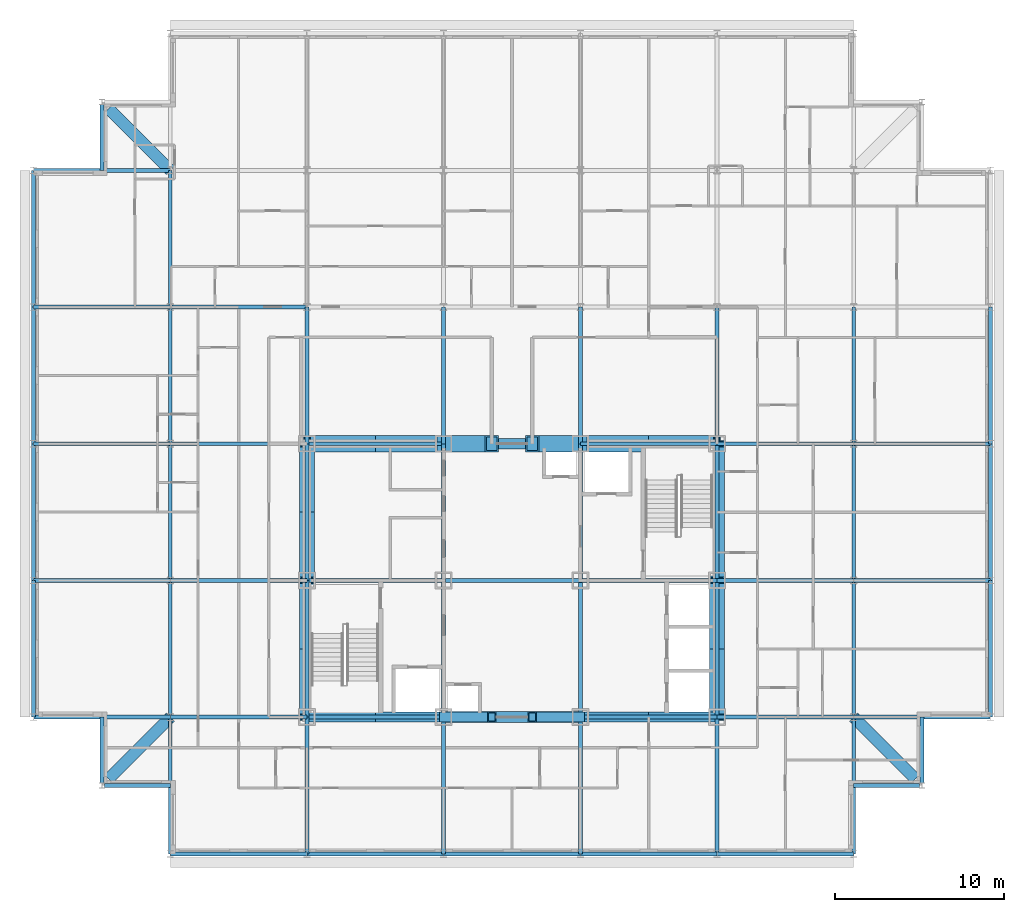
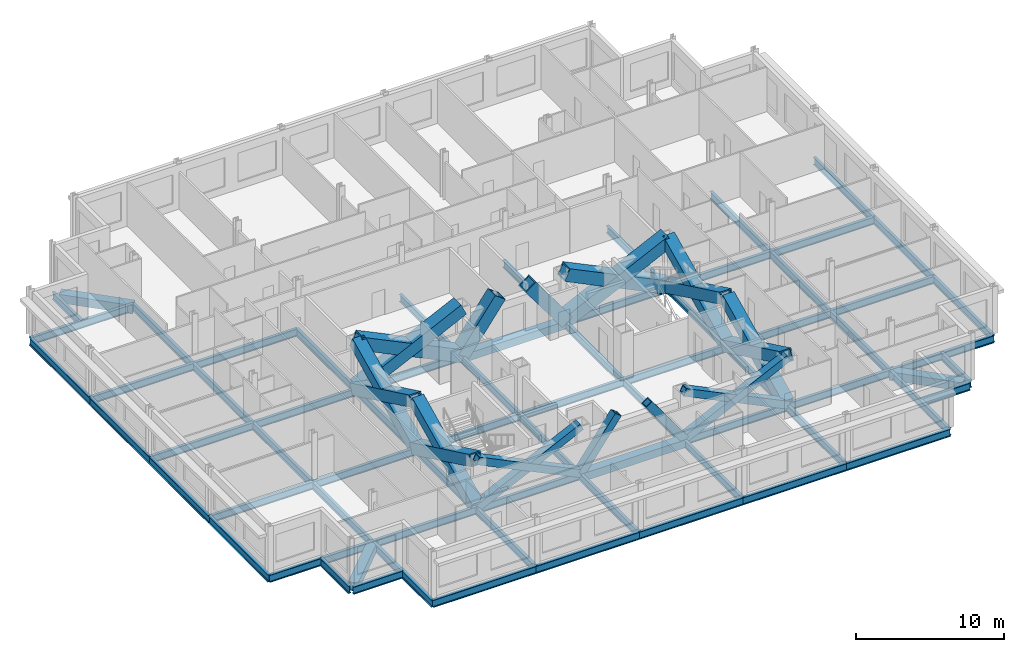
# One storey, part 5 of 15: 69 beams, 20 members.
"""IFC4 building model written with IfcOpenShell, lengths in metres."""

from ifc_helpers import new_model, si_unit, direction, frame, origin, origin_2d, place, context, subcontext, project, spatial, hollow_rectangle, i_section, extrude, material, material_profile, profile_set, type_object, element, save


model = new_model("IFC4")

# Units and contexts
model_context = context("Model", 3, precision=1e-05, world=origin(), true_north=direction((0.0, 1.0)))
body_context = subcontext(model_context, "Body", "Model", "MODEL_VIEW")
ifc_project = project(units=[si_unit("LENGTHUNIT", "METRE"), si_unit("AREAUNIT", "SQUARE_METRE"), si_unit("VOLUMEUNIT", "CUBIC_METRE"), si_unit("PLANEANGLEUNIT", "RADIAN"), si_unit("MASSUNIT", "GRAM", prefix="KILO")], contexts=[model_context])

# Site, building, storey
site_placement = place(None, origin())
site = spatial("IfcSite", under=ifc_project, at=site_placement, CompositionType="ELEMENT")
building_placement = place(site_placement, origin())
building = spatial("IfcBuilding", under=site, at=building_placement, Name="Kopane Lantern Tower", CompositionType="ELEMENT")
storey_placement = place(building_placement, frame((0.0, 0.0, 285.300048828125)))
storey = spatial("IfcBuildingStorey", under=building, at=storey_placement, Name="L73", CompositionType="ELEMENT", Elevation=285.300048828125)

# Members
ifc_material_1 = material(Name="Steel S355JR", Category="steel")
ifc_material_profile_1 = material_profile(ifc_material_1, hollow_rectangle(XDim=1.0, YDim=1.0, WallThickness=0.10009765625, at=origin_2d()), Name="BOX 1000x1000x100")
ifc_profile_set_1 = profile_set([ifc_material_profile_1], Name="Steel S355JR")
member_type_1 = type_object("IfcMemberType", Name="BRACE BOX 1000x1000x100", PredefinedType="BRACE", material=ifc_profile_set_1)
for number, where, z_axis, x_axis, name in (
    (1, (16.199951171875, 40.5, -0.2099609375), (0.901007959878, 0.0, 0.433802554437), (0.0, 1.0, 0.0), "Core brace L73"),
    (2, (24.300048828125, 40.5, -0.2099609375), (-0.901007959878, 0.0, 0.433802554437), (0.0, -1.0, 0.0), "Core brace L73"),
):
    element("IfcMember", number, at=place(storey_placement, frame(where, z_axis=z_axis, x_axis=x_axis)), inside=storey, type_object=member_type_1, Name=name, PredefinedType="BRACE", context=body_context, shape_type="SweptSolid", body=[
        extrude(hollow_rectangle(XDim=1.0, YDim=1.0, WallThickness=0.10009765625, at=origin_2d()), origin(), (0.0, 0.0, 1.0), 8.989990234375),
    ])
for number, where, z_axis, x_axis, name in (
    (3, (24.300048828125, 40.5, -0.2099609375), (0.590006451143, 0.0, 0.807398530845), (0.0, 1.0, 0.0), "Core brace L73"),
    (4, (32.39990234375, 40.5, -0.2099609375), (-0.590006451143, 0.0, 0.807398530845), (0.0, -1.0, 0.0), "Core brace L73"),
):
    element("IfcMember", number, at=place(storey_placement, frame(where, z_axis=z_axis, x_axis=x_axis)), inside=storey, type_object=member_type_1, Name=name, PredefinedType="BRACE", context=body_context, shape_type="SweptSolid", body=[
        extrude(hollow_rectangle(XDim=1.0, YDim=1.0, WallThickness=0.10009765625, at=origin_2d()), origin(), (0.0, 0.0, 1.0), 4.830322265625),
    ])
for number, where, z_axis, x_axis, name in (
    (5, (32.39990234375, 40.5, -0.2099609375), (0.901007959878, 0.0, 0.433802554437), (0.0, 1.0, 0.0), "Core brace L73"),
    (6, (40.5, 40.5, -0.2099609375), (-0.901007959878, 0.0, 0.433802554437), (0.0, -1.0, 0.0), "Core brace L73"),
):
    element("IfcMember", number, at=place(storey_placement, frame(where, z_axis=z_axis, x_axis=x_axis)), inside=storey, type_object=member_type_1, Name=name, PredefinedType="BRACE", context=body_context, shape_type="SweptSolid", body=[
        extrude(hollow_rectangle(XDim=1.0, YDim=1.0, WallThickness=0.10009765625, at=origin_2d()), origin(), (0.0, 0.0, 1.0), 8.989990234375),
    ])
ifc_material_2 = material(Name="Steel S355JR", Category="steel")
ifc_material_profile_2 = material_profile(ifc_material_2, hollow_rectangle(XDim=0.60009765625, YDim=0.60009765625, WallThickness=0.06005859375, at=origin_2d()), Name="BOX 600x600x60")
ifc_profile_set_2 = profile_set([ifc_material_profile_2], Name="Steel S355JR")
member_type_2 = type_object("IfcMemberType", Name="BRACE BOX 600x600x60", PredefinedType="BRACE", material=ifc_profile_set_2)
for number, where, z_axis, x_axis, name in (
    (7, (16.199951171875, 24.300048828125, -0.2099609375), (0.901007959878, 0.0, 0.433802554437), (0.0, 1.0, 0.0), "Core brace L73"),
    (8, (24.300048828125, 24.300048828125, -0.2099609375), (-0.901007959878, 0.0, 0.433802554437), (0.0, -1.0, 0.0), "Core brace L73"),
):
    element("IfcMember", number, at=place(storey_placement, frame(where, z_axis=z_axis, x_axis=x_axis)), inside=storey, type_object=member_type_2, Name=name, PredefinedType="BRACE", context=body_context, shape_type="SweptSolid", body=[
        extrude(hollow_rectangle(XDim=0.60009765625, YDim=0.60009765625, WallThickness=0.06005859375, at=origin_2d()), origin(), (0.0, 0.0, 1.0), 8.989990234375),
    ])
for number, where, z_axis, x_axis, name in (
    (9, (24.300048828125, 24.300048828125, -0.2099609375), (0.590006451143, 0.0, 0.807398530845), (0.0, 1.0, 0.0), "Core brace L73"),
    (10, (32.39990234375, 24.300048828125, -0.2099609375), (-0.590006451143, 0.0, 0.807398530845), (0.0, -1.0, 0.0), "Core brace L73"),
):
    element("IfcMember", number, at=place(storey_placement, frame(where, z_axis=z_axis, x_axis=x_axis)), inside=storey, type_object=member_type_2, Name=name, PredefinedType="BRACE", context=body_context, shape_type="SweptSolid", body=[
        extrude(hollow_rectangle(XDim=0.60009765625, YDim=0.60009765625, WallThickness=0.06005859375, at=origin_2d()), origin(), (0.0, 0.0, 1.0), 4.830322265625),
    ])
for number, where, z_axis, x_axis, name in (
    (11, (32.39990234375, 24.300048828125, -0.2099609375), (0.901007959878, 0.0, 0.433802554437), (0.0, 1.0, 0.0), "Core brace L73"),
    (12, (40.5, 24.300048828125, -0.2099609375), (-0.901007959878, 0.0, 0.433802554437), (0.0, -1.0, 0.0), "Core brace L73"),
):
    element("IfcMember", number, at=place(storey_placement, frame(where, z_axis=z_axis, x_axis=x_axis)), inside=storey, type_object=member_type_2, Name=name, PredefinedType="BRACE", context=body_context, shape_type="SweptSolid", body=[
        extrude(hollow_rectangle(XDim=0.60009765625, YDim=0.60009765625, WallThickness=0.06005859375, at=origin_2d()), origin(), (0.0, 0.0, 1.0), 8.989990234375),
    ])
ifc_material_3 = material(Name="Steel S355JR", Category="steel")
ifc_material_profile_3 = material_profile(ifc_material_3, hollow_rectangle(XDim=0.89990234375, YDim=0.89990234375, WallThickness=0.090087890625, at=origin_2d()), Name="BOX 900x900x90")
ifc_profile_set_3 = profile_set([ifc_material_profile_3], Name="Steel S355JR")
member_type_3 = type_object("IfcMemberType", Name="BRACE BOX 900x900x90", PredefinedType="BRACE", material=ifc_profile_set_3)
for number, where, z_axis, x_axis, name in (
    (13, (16.199951171875, 24.300048828125, -0.2099609375), (0.0, 0.9010028492, 0.433813169157), (-1.0, 0.0, 0.0), "Core brace L73"),
    (14, (16.199951171875, 32.39990234375, -0.2099609375), (0.0, -0.9010028492, 0.433813169157), (1.0, 0.0, 0.0), "Core brace L73"),
):
    element("IfcMember", number, at=place(storey_placement, frame(where, z_axis=z_axis, x_axis=x_axis)), inside=storey, type_object=member_type_3, Name=name, PredefinedType="BRACE", context=body_context, shape_type="SweptSolid", body=[
        extrude(hollow_rectangle(XDim=0.89990234375, YDim=0.89990234375, WallThickness=0.090087890625, at=origin_2d()), origin(), (0.0, 0.0, 1.0), 8.98974609375),
    ])
for number, where, z_axis, x_axis, name in (
    (15, (16.199951171875, 32.39990234375, -0.2099609375), (0.0, 0.901007959878, 0.433802554437), (-1.0, 0.0, 0.0), "Core brace L73"),
    (16, (16.199951171875, 40.5, -0.2099609375), (0.0, -0.901007959878, 0.433802554437), (1.0, 0.0, 0.0), "Core brace L73"),
):
    element("IfcMember", number, at=place(storey_placement, frame(where, z_axis=z_axis, x_axis=x_axis)), inside=storey, type_object=member_type_3, Name=name, PredefinedType="BRACE", context=body_context, shape_type="SweptSolid", body=[
        extrude(hollow_rectangle(XDim=0.89990234375, YDim=0.89990234375, WallThickness=0.090087890625, at=origin_2d()), origin(), (0.0, 0.0, 1.0), 8.989990234375),
    ])
for number, where, z_axis, x_axis, name in (
    (17, (40.5, 24.300048828125, -0.2099609375), (0.0, 0.9010028492, 0.433813169157), (-1.0, 0.0, 0.0), "Core brace L73"),
    (18, (40.5, 32.39990234375, -0.2099609375), (0.0, -0.9010028492, 0.433813169157), (1.0, 0.0, 0.0), "Core brace L73"),
):
    element("IfcMember", number, at=place(storey_placement, frame(where, z_axis=z_axis, x_axis=x_axis)), inside=storey, type_object=member_type_3, Name=name, PredefinedType="BRACE", context=body_context, shape_type="SweptSolid", body=[
        extrude(hollow_rectangle(XDim=0.89990234375, YDim=0.89990234375, WallThickness=0.090087890625, at=origin_2d()), origin(), (0.0, 0.0, 1.0), 8.98974609375),
    ])
for number, where, z_axis, x_axis, name in (
    (19, (40.5, 32.39990234375, -0.2099609375), (0.0, 0.901007959878, 0.433802554437), (-1.0, 0.0, 0.0), "Core brace L73"),
    (20, (40.5, 40.5, -0.2099609375), (0.0, -0.901007959878, 0.433802554437), (1.0, 0.0, 0.0), "Core brace L73"),
):
    element("IfcMember", number, at=place(storey_placement, frame(where, z_axis=z_axis, x_axis=x_axis)), inside=storey, type_object=member_type_3, Name=name, PredefinedType="BRACE", context=body_context, shape_type="SweptSolid", body=[
        extrude(hollow_rectangle(XDim=0.89990234375, YDim=0.89990234375, WallThickness=0.090087890625, at=origin_2d()), origin(), (0.0, 0.0, 1.0), 8.989990234375),
    ])

# Beams
ifc_material_4 = material(Name="Steel S355JR", Category="steel")
ifc_material_profile_4 = material_profile(ifc_material_4, i_section(OverallWidth=0.22900390625, OverallDepth=0.6123046875, WebThickness=0.011962890625, FlangeThickness=0.01953125, FilletRadius=0.0126953125, at=origin_2d()), Name="UB 610x229x125")
ifc_profile_set_4 = profile_set([ifc_material_profile_4], Name="Steel S355JR")
beam_type_1 = type_object("IfcBeamType", Name="CORE BEAM UB 610x229x125", PredefinedType="BEAM", material=ifc_profile_set_4)
beam_1_placement = place(storey_placement, frame((16.199951171875, 32.39990234375, -0.51611328125), z_axis=(1.0, 0.0, 0.0), x_axis=(0.0, 1.0, 0.0)))
element("IfcBeam", 21, at=beam_1_placement, inside=storey, type_object=beam_type_1, Name="Core Beam L73", PredefinedType="BEAM", context=body_context, shape_type="SweptSolid", body=[
    extrude(i_section(OverallWidth=0.22900390625, OverallDepth=0.6123046875, WebThickness=0.011962890625, FlangeThickness=0.01953125, FilletRadius=0.0126953125, at=origin_2d()), origin(), (0.0, 0.0, 1.0), 8.10009765625),
])
beam_2_placement = place(storey_placement, frame((24.300048828125, 24.300048828125, -0.51611328125), z_axis=(0.0, 1.0, 0.0), x_axis=(-1.0, 0.0, 0.0)))
element("IfcBeam", 22, at=beam_2_placement, inside=storey, type_object=beam_type_1, Name="Core Beam L73", PredefinedType="BEAM", context=body_context, shape_type="SweptSolid", body=[
    extrude(i_section(OverallWidth=0.22900390625, OverallDepth=0.6123046875, WebThickness=0.011962890625, FlangeThickness=0.01953125, FilletRadius=0.0126953125, at=origin_2d()), origin(), (0.0, 0.0, 1.0), 8.099853515625),
])
beam_3_placement = place(storey_placement, frame((24.300048828125, 32.39990234375, -0.51611328125), z_axis=(0.0, 1.0, 0.0), x_axis=(-1.0, 0.0, 0.0)))
element("IfcBeam", 23, at=beam_3_placement, inside=storey, type_object=beam_type_1, Name="Core Beam L73", PredefinedType="BEAM", context=body_context, shape_type="SweptSolid", body=[
    extrude(i_section(OverallWidth=0.22900390625, OverallDepth=0.6123046875, WebThickness=0.011962890625, FlangeThickness=0.01953125, FilletRadius=0.0126953125, at=origin_2d()), origin(), (0.0, 0.0, 1.0), 8.10009765625),
])
for number, where, z_axis, x_axis, name in (
    (24, (24.300048828125, 32.39990234375, -0.51611328125), (1.0, 0.0, 0.0), (0.0, 1.0, 0.0), "Core Beam L73"),
    (25, (32.39990234375, 24.300048828125, -0.51611328125), (0.0, 1.0, 0.0), (-1.0, 0.0, 0.0), "Core Beam L73"),
):
    element("IfcBeam", number, at=place(storey_placement, frame(where, z_axis=z_axis, x_axis=x_axis)), inside=storey, type_object=beam_type_1, Name=name, PredefinedType="BEAM", context=body_context, shape_type="SweptSolid", body=[
        extrude(i_section(OverallWidth=0.22900390625, OverallDepth=0.6123046875, WebThickness=0.011962890625, FlangeThickness=0.01953125, FilletRadius=0.0126953125, at=origin_2d()), origin(), (0.0, 0.0, 1.0), 8.099853515625),
    ])
for number, where, z_axis, x_axis, name in (
    (26, (32.39990234375, 32.39990234375, -0.51611328125), (0.0, 1.0, 0.0), (-1.0, 0.0, 0.0), "Core Beam L73"),
    (27, (32.39990234375, 32.39990234375, -0.51611328125), (1.0, 0.0, 0.0), (0.0, 1.0, 0.0), "Core Beam L73"),
):
    element("IfcBeam", number, at=place(storey_placement, frame(where, z_axis=z_axis, x_axis=x_axis)), inside=storey, type_object=beam_type_1, Name=name, PredefinedType="BEAM", context=body_context, shape_type="SweptSolid", body=[
        extrude(i_section(OverallWidth=0.22900390625, OverallDepth=0.6123046875, WebThickness=0.011962890625, FlangeThickness=0.01953125, FilletRadius=0.0126953125, at=origin_2d()), origin(), (0.0, 0.0, 1.0), 8.10009765625),
    ])
ifc_material_5 = material(Name="Steel S355JR", Category="steel")
ifc_material_profile_5 = material_profile(ifc_material_5, hollow_rectangle(XDim=0.699951171875, YDim=0.699951171875, WallThickness=0.06005859375, at=origin_2d()), Name="BOX 700x700x60")
ifc_profile_set_5 = profile_set([ifc_material_profile_5], Name="Steel S355JR")
beam_type_2 = type_object("IfcBeamType", Name="CORNER TIE BEAM BOX 700x700x60", PredefinedType="BEAM", material=ifc_profile_set_5)
for number, where, z_axis, x_axis, name in (
    (28, (4.447509765625, 20.6474609375, -0.56005859375), (0.707106781187, 0.707106781187, 0.0), (-0.707106781187, 0.707106781187, 0.0), "Corner Tie Beam L73"),
    (29, (4.447509765625, 60.3525390625, -0.56005859375), (0.707106781187, -0.707106781187, 0.0), (0.707106781187, 0.707106781187, 0.0), "Corner Tie Beam L73"),
):
    element("IfcBeam", number, at=place(storey_placement, frame(where, z_axis=z_axis, x_axis=x_axis)), inside=storey, type_object=beam_type_2, Name=name, PredefinedType="BEAM", context=body_context, shape_type="SweptSolid", body=[
        extrude(hollow_rectangle(XDim=0.699951171875, YDim=0.699951171875, WallThickness=0.06005859375, at=origin_2d()), origin(), (0.0, 0.0, 1.0), 5.16552734375),
    ])
beam_4_placement = place(storey_placement, frame((52.25244140625, 20.6474609375, -0.56005859375), z_axis=(-0.707083148333, 0.70713041325, 0.0), x_axis=(-0.70713041325, -0.707083148333, 0.0)))
element("IfcBeam", 30, at=beam_4_placement, inside=storey, type_object=beam_type_2, Name="Corner Tie Beam L73", PredefinedType="BEAM", context=body_context, shape_type="SweptSolid", body=[
    extrude(hollow_rectangle(XDim=0.699951171875, YDim=0.699951171875, WallThickness=0.06005859375, at=origin_2d()), origin(), (0.0, 0.0, 1.0), 5.165283203125),
])
ifc_material_6 = material(Name="Steel S355JR", Category="steel")
ifc_material_profile_6 = material_profile(ifc_material_6, i_section(OverallWidth=0.22900390625, OverallDepth=0.6123046875, WebThickness=0.011962890625, FlangeThickness=0.01953125, FilletRadius=0.0126953125, at=origin_2d()), Name="UB 610x229x125")
ifc_profile_set_6 = profile_set([ifc_material_profile_6], Name="Steel S355JR")
beam_type_3 = type_object("IfcBeamType", Name="EDGE BEAM UB 610x229x125", PredefinedType="BEAM", material=ifc_profile_set_6)
beam_5_placement = place(storey_placement, frame((4.050048828125, 20.40380859375, -0.51611328125), z_axis=(0.0, 1.0, 0.0), x_axis=(-1.0, 0.0, 0.0)))
element("IfcBeam", 31, at=beam_5_placement, inside=storey, type_object=beam_type_3, Name="Edge Beam L73", PredefinedType="BEAM", context=body_context, shape_type="SweptSolid", body=[
    extrude(i_section(OverallWidth=0.22900390625, OverallDepth=0.6123046875, WebThickness=0.011962890625, FlangeThickness=0.01953125, FilletRadius=0.0126953125, at=origin_2d()), origin(), (0.0, 0.0, 1.0), 3.896240234375),
])
beam_6_placement = place(storey_placement, frame((4.20361328125, 20.25, -0.51611328125), z_axis=(1.0, 0.0, 0.0), x_axis=(0.0, 1.0, 0.0)))
element("IfcBeam", 32, at=beam_6_placement, inside=storey, type_object=beam_type_3, Name="Edge Beam L73", PredefinedType="BEAM", context=body_context, shape_type="SweptSolid", body=[
    extrude(i_section(OverallWidth=0.22900390625, OverallDepth=0.6123046875, WebThickness=0.011962890625, FlangeThickness=0.01953125, FilletRadius=0.0126953125, at=origin_2d()), origin(), (0.0, 0.0, 1.0), 3.896484375),
])
for number, where, z_axis, x_axis, name in (
    (33, (4.050048828125, 60.59619140625, -0.51611328125), (0.0, -1.0, 0.0), (1.0, 0.0, 0.0), "Edge Beam L73"),
    (34, (52.496337890625, 20.25, -0.51611328125), (-1.0, 0.0, 0.0), (0.0, -1.0, 0.0), "Edge Beam L73"),
    (35, (52.64990234375, 20.40380859375, -0.51611328125), (0.0, 1.0, 0.0), (-1.0, 0.0, 0.0), "Edge Beam L73"),
):
    element("IfcBeam", number, at=place(storey_placement, frame(where, z_axis=z_axis, x_axis=x_axis)), inside=storey, type_object=beam_type_3, Name=name, PredefinedType="BEAM", context=body_context, shape_type="SweptSolid", body=[
        extrude(i_section(OverallWidth=0.22900390625, OverallDepth=0.6123046875, WebThickness=0.011962890625, FlangeThickness=0.01953125, FilletRadius=0.0126953125, at=origin_2d()), origin(), (0.0, 0.0, 1.0), 3.896240234375),
    ])
ifc_material_7 = material(Name="Steel S355JR", Category="steel")
ifc_material_profile_7 = material_profile(ifc_material_7, i_section(OverallWidth=0.22900390625, OverallDepth=0.6123046875, WebThickness=0.011962890625, FlangeThickness=0.01953125, FilletRadius=0.0126953125, at=origin_2d()), Name="UB 610x229x125")
ifc_profile_set_7 = profile_set([ifc_material_profile_7], Name="Steel S355JR")
beam_type_4 = type_object("IfcBeamType", Name="GIRDER UB 610x229x125", PredefinedType="BEAM", material=ifc_profile_set_7)
beam_7_placement = place(storey_placement, frame((0.0, 24.300048828125, -0.51611328125), z_axis=(0.0, 1.0, 0.0), x_axis=(-1.0, 0.0, 0.0)))
element("IfcBeam", 36, at=beam_7_placement, inside=storey, type_object=beam_type_4, Name="Girder L73", PredefinedType="BEAM", context=body_context, shape_type="SweptSolid", body=[
    extrude(i_section(OverallWidth=0.22900390625, OverallDepth=0.6123046875, WebThickness=0.011962890625, FlangeThickness=0.01953125, FilletRadius=0.0126953125, at=origin_2d()), origin(), (0.0, 0.0, 1.0), 8.099853515625),
])
for number, where, z_axis, x_axis, name in (
    (37, (0.0, 24.300048828125, -0.51611328125), (1.0, 0.0, 0.0), (0.0, 1.0, 0.0), "Girder L73"),
    (38, (0.0, 32.39990234375, -0.51611328125), (0.0, 1.0, 0.0), (-1.0, 0.0, 0.0), "Girder L73"),
    (39, (0.0, 32.39990234375, -0.51611328125), (1.0, 0.0, 0.0), (0.0, 1.0, 0.0), "Girder L73"),
    (40, (0.0, 40.5, -0.51611328125), (0.0, 1.0, 0.0), (-1.0, 0.0, 0.0), "Girder L73"),
    (41, (0.0, 40.5, -0.51611328125), (1.0, 0.0, 0.0), (0.0, 1.0, 0.0), "Girder L73"),
):
    element("IfcBeam", number, at=place(storey_placement, frame(where, z_axis=z_axis, x_axis=x_axis)), inside=storey, type_object=beam_type_4, Name=name, PredefinedType="BEAM", context=body_context, shape_type="SweptSolid", body=[
        extrude(i_section(OverallWidth=0.22900390625, OverallDepth=0.6123046875, WebThickness=0.011962890625, FlangeThickness=0.01953125, FilletRadius=0.0126953125, at=origin_2d()), origin(), (0.0, 0.0, 1.0), 8.10009765625),
    ])
beam_8_placement = place(storey_placement, frame((0.0, 48.60009765625, -0.51611328125), z_axis=(0.0, 1.0, 0.0), x_axis=(-1.0, 0.0, 0.0)))
element("IfcBeam", 42, at=beam_8_placement, inside=storey, type_object=beam_type_4, Name="Girder L73", PredefinedType="BEAM", context=body_context, shape_type="SweptSolid", body=[
    extrude(i_section(OverallWidth=0.22900390625, OverallDepth=0.6123046875, WebThickness=0.011962890625, FlangeThickness=0.01953125, FilletRadius=0.0126953125, at=origin_2d()), origin(), (0.0, 0.0, 1.0), 8.099853515625),
])
for number, where, z_axis, x_axis, name in (
    (43, (0.0, 48.60009765625, -0.51611328125), (1.0, 0.0, 0.0), (0.0, 1.0, 0.0), "Girder L73"),
    (44, (0.0, 56.699951171875, -0.51611328125), (1.0, 0.0, 0.0), (0.0, 1.0, 0.0), "Girder L73"),
    (45, (8.10009765625, 16.199951171875, -0.51611328125), (0.0, 1.0, 0.0), (-1.0, 0.0, 0.0), "Girder L73"),
):
    element("IfcBeam", number, at=place(storey_placement, frame(where, z_axis=z_axis, x_axis=x_axis)), inside=storey, type_object=beam_type_4, Name=name, PredefinedType="BEAM", context=body_context, shape_type="SweptSolid", body=[
        extrude(i_section(OverallWidth=0.22900390625, OverallDepth=0.6123046875, WebThickness=0.011962890625, FlangeThickness=0.01953125, FilletRadius=0.0126953125, at=origin_2d()), origin(), (0.0, 0.0, 1.0), 8.10009765625),
    ])
for number, where, z_axis, x_axis, name in (
    (46, (8.10009765625, 16.199951171875, -0.51611328125), (1.0, 0.0, 0.0), (0.0, 1.0, 0.0), "Girder L73"),
    (47, (8.10009765625, 24.300048828125, -0.51611328125), (0.0, 1.0, 0.0), (-1.0, 0.0, 0.0), "Girder L73"),
    (48, (8.10009765625, 24.300048828125, -0.51611328125), (1.0, 0.0, 0.0), (0.0, 1.0, 0.0), "Girder L73"),
):
    element("IfcBeam", number, at=place(storey_placement, frame(where, z_axis=z_axis, x_axis=x_axis)), inside=storey, type_object=beam_type_4, Name=name, PredefinedType="BEAM", context=body_context, shape_type="SweptSolid", body=[
        extrude(i_section(OverallWidth=0.22900390625, OverallDepth=0.6123046875, WebThickness=0.011962890625, FlangeThickness=0.01953125, FilletRadius=0.0126953125, at=origin_2d()), origin(), (0.0, 0.0, 1.0), 8.099853515625),
    ])
beam_9_placement = place(storey_placement, frame((8.10009765625, 32.39990234375, -0.51611328125), z_axis=(0.0, 1.0, 0.0), x_axis=(-1.0, 0.0, 0.0)))
element("IfcBeam", 49, at=beam_9_placement, inside=storey, type_object=beam_type_4, Name="Girder L73", PredefinedType="BEAM", context=body_context, shape_type="SweptSolid", body=[
    extrude(i_section(OverallWidth=0.22900390625, OverallDepth=0.6123046875, WebThickness=0.011962890625, FlangeThickness=0.01953125, FilletRadius=0.0126953125, at=origin_2d()), origin(), (0.0, 0.0, 1.0), 8.10009765625),
])
beam_10_placement = place(storey_placement, frame((8.10009765625, 32.39990234375, -0.51611328125), z_axis=(1.0, 0.0, 0.0), x_axis=(0.0, 1.0, 0.0)))
element("IfcBeam", 50, at=beam_10_placement, inside=storey, type_object=beam_type_4, Name="Girder L73", PredefinedType="BEAM", context=body_context, shape_type="SweptSolid", body=[
    extrude(i_section(OverallWidth=0.22900390625, OverallDepth=0.6123046875, WebThickness=0.011962890625, FlangeThickness=0.01953125, FilletRadius=0.0126953125, at=origin_2d()), origin(), (0.0, 0.0, 1.0), 8.099853515625),
])
beam_11_placement = place(storey_placement, frame((8.10009765625, 40.5, -0.51611328125), z_axis=(0.0, 1.0, 0.0), x_axis=(-1.0, 0.0, 0.0)))
element("IfcBeam", 51, at=beam_11_placement, inside=storey, type_object=beam_type_4, Name="Girder L73", PredefinedType="BEAM", context=body_context, shape_type="SweptSolid", body=[
    extrude(i_section(OverallWidth=0.22900390625, OverallDepth=0.6123046875, WebThickness=0.011962890625, FlangeThickness=0.01953125, FilletRadius=0.0126953125, at=origin_2d()), origin(), (0.0, 0.0, 1.0), 8.10009765625),
])
for number, where, z_axis, x_axis, name in (
    (52, (8.10009765625, 40.5, -0.51611328125), (1.0, 0.0, 0.0), (0.0, 1.0, 0.0), "Girder L73"),
    (53, (8.10009765625, 48.60009765625, -0.51611328125), (0.0, 1.0, 0.0), (-1.0, 0.0, 0.0), "Girder L73"),
    (54, (8.10009765625, 48.60009765625, -0.51611328125), (1.0, 0.0, 0.0), (0.0, 1.0, 0.0), "Girder L73"),
):
    element("IfcBeam", number, at=place(storey_placement, frame(where, z_axis=z_axis, x_axis=x_axis)), inside=storey, type_object=beam_type_4, Name=name, PredefinedType="BEAM", context=body_context, shape_type="SweptSolid", body=[
        extrude(i_section(OverallWidth=0.22900390625, OverallDepth=0.6123046875, WebThickness=0.011962890625, FlangeThickness=0.01953125, FilletRadius=0.0126953125, at=origin_2d()), origin(), (0.0, 0.0, 1.0), 8.099853515625),
    ])
for number, where, z_axis, x_axis, name in (
    (55, (16.199951171875, 16.199951171875, -0.51611328125), (0.0, 1.0, 0.0), (-1.0, 0.0, 0.0), "Girder L73"),
    (56, (16.199951171875, 16.199951171875, -0.51611328125), (1.0, 0.0, 0.0), (0.0, 1.0, 0.0), "Girder L73"),
):
    element("IfcBeam", number, at=place(storey_placement, frame(where, z_axis=z_axis, x_axis=x_axis)), inside=storey, type_object=beam_type_4, Name=name, PredefinedType="BEAM", context=body_context, shape_type="SweptSolid", body=[
        extrude(i_section(OverallWidth=0.22900390625, OverallDepth=0.6123046875, WebThickness=0.011962890625, FlangeThickness=0.01953125, FilletRadius=0.0126953125, at=origin_2d()), origin(), (0.0, 0.0, 1.0), 8.10009765625),
    ])
beam_12_placement = place(storey_placement, frame((16.199951171875, 24.300048828125, -0.51611328125), z_axis=(0.0, 1.0, 0.0), x_axis=(-1.0, 0.0, 0.0)))
element("IfcBeam", 57, at=beam_12_placement, inside=storey, type_object=beam_type_4, Name="Girder L73", PredefinedType="BEAM", context=body_context, shape_type="SweptSolid", body=[
    extrude(i_section(OverallWidth=0.22900390625, OverallDepth=0.6123046875, WebThickness=0.011962890625, FlangeThickness=0.01953125, FilletRadius=0.0126953125, at=origin_2d()), origin(), (0.0, 0.0, 1.0), 8.099853515625),
])
for number, where, z_axis, x_axis, name in (
    (58, (16.199951171875, 24.300048828125, -0.51611328125), (1.0, 0.0, 0.0), (0.0, 1.0, 0.0), "Girder L73"),
    (59, (16.199951171875, 32.39990234375, -0.51611328125), (0.0, 1.0, 0.0), (-1.0, 0.0, 0.0), "Girder L73"),
    (60, (16.199951171875, 40.5, -0.51611328125), (0.0, 1.0, 0.0), (-1.0, 0.0, 0.0), "Girder L73"),
    (61, (16.199951171875, 40.5, -0.51611328125), (1.0, 0.0, 0.0), (0.0, 1.0, 0.0), "Girder L73"),
    (62, (24.300048828125, 16.199951171875, -0.51611328125), (0.0, 1.0, 0.0), (-1.0, 0.0, 0.0), "Girder L73"),
):
    element("IfcBeam", number, at=place(storey_placement, frame(where, z_axis=z_axis, x_axis=x_axis)), inside=storey, type_object=beam_type_4, Name=name, PredefinedType="BEAM", context=body_context, shape_type="SweptSolid", body=[
        extrude(i_section(OverallWidth=0.22900390625, OverallDepth=0.6123046875, WebThickness=0.011962890625, FlangeThickness=0.01953125, FilletRadius=0.0126953125, at=origin_2d()), origin(), (0.0, 0.0, 1.0), 8.10009765625),
    ])
beam_13_placement = place(storey_placement, frame((24.300048828125, 16.199951171875, -0.51611328125), z_axis=(1.0, 0.0, 0.0), x_axis=(0.0, 1.0, 0.0)))
element("IfcBeam", 63, at=beam_13_placement, inside=storey, type_object=beam_type_4, Name="Girder L73", PredefinedType="BEAM", context=body_context, shape_type="SweptSolid", body=[
    extrude(i_section(OverallWidth=0.22900390625, OverallDepth=0.6123046875, WebThickness=0.011962890625, FlangeThickness=0.01953125, FilletRadius=0.0126953125, at=origin_2d()), origin(), (0.0, 0.0, 1.0), 8.099853515625),
])
for number, where, z_axis, x_axis, name in (
    (64, (24.300048828125, 40.5, -0.51611328125), (0.0, 1.0, 0.0), (-1.0, 0.0, 0.0), "Girder L73"),
    (65, (32.39990234375, 16.199951171875, -0.51611328125), (0.0, 1.0, 0.0), (-1.0, 0.0, 0.0), "Girder L73"),
    (66, (32.39990234375, 16.199951171875, -0.51611328125), (1.0, 0.0, 0.0), (0.0, 1.0, 0.0), "Girder L73"),
    (67, (32.39990234375, 24.300048828125, -0.51611328125), (1.0, 0.0, 0.0), (0.0, 1.0, 0.0), "Girder L73"),
    (68, (32.39990234375, 40.5, -0.51611328125), (0.0, 1.0, 0.0), (-1.0, 0.0, 0.0), "Girder L73"),
    (69, (32.39990234375, 40.5, -0.51611328125), (1.0, 0.0, 0.0), (0.0, 1.0, 0.0), "Girder L73"),
    (70, (40.5, 16.199951171875, -0.51611328125), (0.0, 1.0, 0.0), (-1.0, 0.0, 0.0), "Girder L73"),
    (71, (40.5, 16.199951171875, -0.51611328125), (1.0, 0.0, 0.0), (0.0, 1.0, 0.0), "Girder L73"),
):
    element("IfcBeam", number, at=place(storey_placement, frame(where, z_axis=z_axis, x_axis=x_axis)), inside=storey, type_object=beam_type_4, Name=name, PredefinedType="BEAM", context=body_context, shape_type="SweptSolid", body=[
        extrude(i_section(OverallWidth=0.22900390625, OverallDepth=0.6123046875, WebThickness=0.011962890625, FlangeThickness=0.01953125, FilletRadius=0.0126953125, at=origin_2d()), origin(), (0.0, 0.0, 1.0), 8.10009765625),
    ])
beam_14_placement = place(storey_placement, frame((40.5, 24.300048828125, -0.51611328125), z_axis=(0.0, 1.0, 0.0), x_axis=(-1.0, 0.0, 0.0)))
element("IfcBeam", 72, at=beam_14_placement, inside=storey, type_object=beam_type_4, Name="Girder L73", PredefinedType="BEAM", context=body_context, shape_type="SweptSolid", body=[
    extrude(i_section(OverallWidth=0.22900390625, OverallDepth=0.6123046875, WebThickness=0.011962890625, FlangeThickness=0.01953125, FilletRadius=0.0126953125, at=origin_2d()), origin(), (0.0, 0.0, 1.0), 8.099853515625),
])
for number, where, z_axis, x_axis, name in (
    (73, (40.5, 24.300048828125, -0.51611328125), (1.0, 0.0, 0.0), (0.0, 1.0, 0.0), "Girder L73"),
    (74, (40.5, 32.39990234375, -0.51611328125), (0.0, 1.0, 0.0), (-1.0, 0.0, 0.0), "Girder L73"),
    (75, (40.5, 32.39990234375, -0.51611328125), (1.0, 0.0, 0.0), (0.0, 1.0, 0.0), "Girder L73"),
    (76, (40.5, 40.5, -0.51611328125), (0.0, 1.0, 0.0), (-1.0, 0.0, 0.0), "Girder L73"),
    (77, (40.5, 40.5, -0.51611328125), (1.0, 0.0, 0.0), (0.0, 1.0, 0.0), "Girder L73"),
    (78, (48.60009765625, 16.199951171875, -0.51611328125), (0.0, 1.0, 0.0), (-1.0, 0.0, 0.0), "Girder L73"),
):
    element("IfcBeam", number, at=place(storey_placement, frame(where, z_axis=z_axis, x_axis=x_axis)), inside=storey, type_object=beam_type_4, Name=name, PredefinedType="BEAM", context=body_context, shape_type="SweptSolid", body=[
        extrude(i_section(OverallWidth=0.22900390625, OverallDepth=0.6123046875, WebThickness=0.011962890625, FlangeThickness=0.01953125, FilletRadius=0.0126953125, at=origin_2d()), origin(), (0.0, 0.0, 1.0), 8.10009765625),
    ])
for number, where, z_axis, x_axis, name in (
    (79, (48.60009765625, 24.300048828125, -0.51611328125), (0.0, 1.0, 0.0), (-1.0, 0.0, 0.0), "Girder L73"),
    (80, (48.60009765625, 24.300048828125, -0.51611328125), (1.0, 0.0, 0.0), (0.0, 1.0, 0.0), "Girder L73"),
):
    element("IfcBeam", number, at=place(storey_placement, frame(where, z_axis=z_axis, x_axis=x_axis)), inside=storey, type_object=beam_type_4, Name=name, PredefinedType="BEAM", context=body_context, shape_type="SweptSolid", body=[
        extrude(i_section(OverallWidth=0.22900390625, OverallDepth=0.6123046875, WebThickness=0.011962890625, FlangeThickness=0.01953125, FilletRadius=0.0126953125, at=origin_2d()), origin(), (0.0, 0.0, 1.0), 8.099853515625),
    ])
beam_15_placement = place(storey_placement, frame((48.60009765625, 32.39990234375, -0.51611328125), z_axis=(0.0, 1.0, 0.0), x_axis=(-1.0, 0.0, 0.0)))
element("IfcBeam", 81, at=beam_15_placement, inside=storey, type_object=beam_type_4, Name="Girder L73", PredefinedType="BEAM", context=body_context, shape_type="SweptSolid", body=[
    extrude(i_section(OverallWidth=0.22900390625, OverallDepth=0.6123046875, WebThickness=0.011962890625, FlangeThickness=0.01953125, FilletRadius=0.0126953125, at=origin_2d()), origin(), (0.0, 0.0, 1.0), 8.10009765625),
])
beam_16_placement = place(storey_placement, frame((48.60009765625, 32.39990234375, -0.51611328125), z_axis=(1.0, 0.0, 0.0), x_axis=(0.0, 1.0, 0.0)))
element("IfcBeam", 82, at=beam_16_placement, inside=storey, type_object=beam_type_4, Name="Girder L73", PredefinedType="BEAM", context=body_context, shape_type="SweptSolid", body=[
    extrude(i_section(OverallWidth=0.22900390625, OverallDepth=0.6123046875, WebThickness=0.011962890625, FlangeThickness=0.01953125, FilletRadius=0.0126953125, at=origin_2d()), origin(), (0.0, 0.0, 1.0), 8.099853515625),
])
beam_17_placement = place(storey_placement, frame((48.60009765625, 40.5, -0.51611328125), z_axis=(0.0, 1.0, 0.0), x_axis=(-1.0, 0.0, 0.0)))
element("IfcBeam", 83, at=beam_17_placement, inside=storey, type_object=beam_type_4, Name="Girder L73", PredefinedType="BEAM", context=body_context, shape_type="SweptSolid", body=[
    extrude(i_section(OverallWidth=0.22900390625, OverallDepth=0.6123046875, WebThickness=0.011962890625, FlangeThickness=0.01953125, FilletRadius=0.0126953125, at=origin_2d()), origin(), (0.0, 0.0, 1.0), 8.10009765625),
])
for number, where, z_axis, x_axis, name in (
    (84, (48.60009765625, 40.5, -0.51611328125), (1.0, 0.0, 0.0), (0.0, 1.0, 0.0), "Girder L73"),
    (85, (56.699951171875, 24.300048828125, -0.51611328125), (0.0, 1.0, 0.0), (-1.0, 0.0, 0.0), "Girder L73"),
):
    element("IfcBeam", number, at=place(storey_placement, frame(where, z_axis=z_axis, x_axis=x_axis)), inside=storey, type_object=beam_type_4, Name=name, PredefinedType="BEAM", context=body_context, shape_type="SweptSolid", body=[
        extrude(i_section(OverallWidth=0.22900390625, OverallDepth=0.6123046875, WebThickness=0.011962890625, FlangeThickness=0.01953125, FilletRadius=0.0126953125, at=origin_2d()), origin(), (0.0, 0.0, 1.0), 8.099853515625),
    ])
for number, where, z_axis, x_axis, name in (
    (86, (56.699951171875, 32.39990234375, -0.51611328125), (0.0, 1.0, 0.0), (-1.0, 0.0, 0.0), "Girder L73"),
    (87, (56.699951171875, 40.5, -0.51611328125), (0.0, 1.0, 0.0), (-1.0, 0.0, 0.0), "Girder L73"),
):
    element("IfcBeam", number, at=place(storey_placement, frame(where, z_axis=z_axis, x_axis=x_axis)), inside=storey, type_object=beam_type_4, Name=name, PredefinedType="BEAM", context=body_context, shape_type="SweptSolid", body=[
        extrude(i_section(OverallWidth=0.22900390625, OverallDepth=0.6123046875, WebThickness=0.011962890625, FlangeThickness=0.01953125, FilletRadius=0.0126953125, at=origin_2d()), origin(), (0.0, 0.0, 1.0), 8.10009765625),
    ])
ifc_material_8 = material(Name="Steel S355JR", Category="steel")
ifc_material_profile_8 = material_profile(ifc_material_8, hollow_rectangle(XDim=0.64990234375, YDim=0.64990234375, WallThickness=0.070068359375, at=origin_2d()), Name="BOX 650x650x70")
ifc_profile_set_8 = profile_set([ifc_material_profile_8], Name="Steel S355JR")
beam_type_5 = type_object("IfcBeamType", Name="LINK BEAM BOX 650x650x70", PredefinedType="BEAM", material=ifc_profile_set_8)
for number, where, z_axis, x_axis, name in (
    (88, (24.300048828125, 24.300048828125, -0.53515625), (1.0, 0.0, 0.0), (0.0, 1.0, 0.0), "Link Beam L73"),
    (89, (24.300048828125, 40.5, -0.53515625), (1.0, 0.0, 0.0), (0.0, 1.0, 0.0), "Link Beam L73"),
):
    element("IfcBeam", number, at=place(storey_placement, frame(where, z_axis=z_axis, x_axis=x_axis)), inside=storey, type_object=beam_type_5, Name=name, PredefinedType="BEAM", context=body_context, shape_type="SweptSolid", body=[
        extrude(hollow_rectangle(XDim=0.64990234375, YDim=0.64990234375, WallThickness=0.070068359375, at=origin_2d()), origin(), (0.0, 0.0, 1.0), 8.099853515625),
    ])

save(model, "model.ifc")
